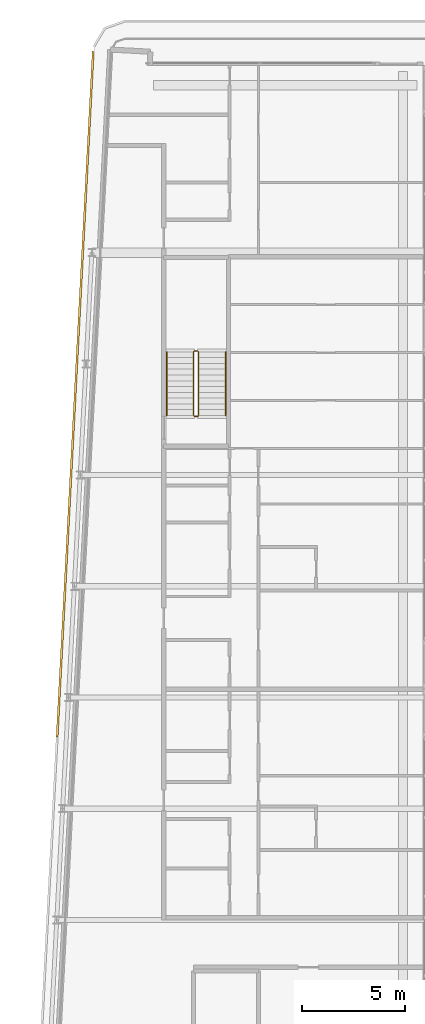
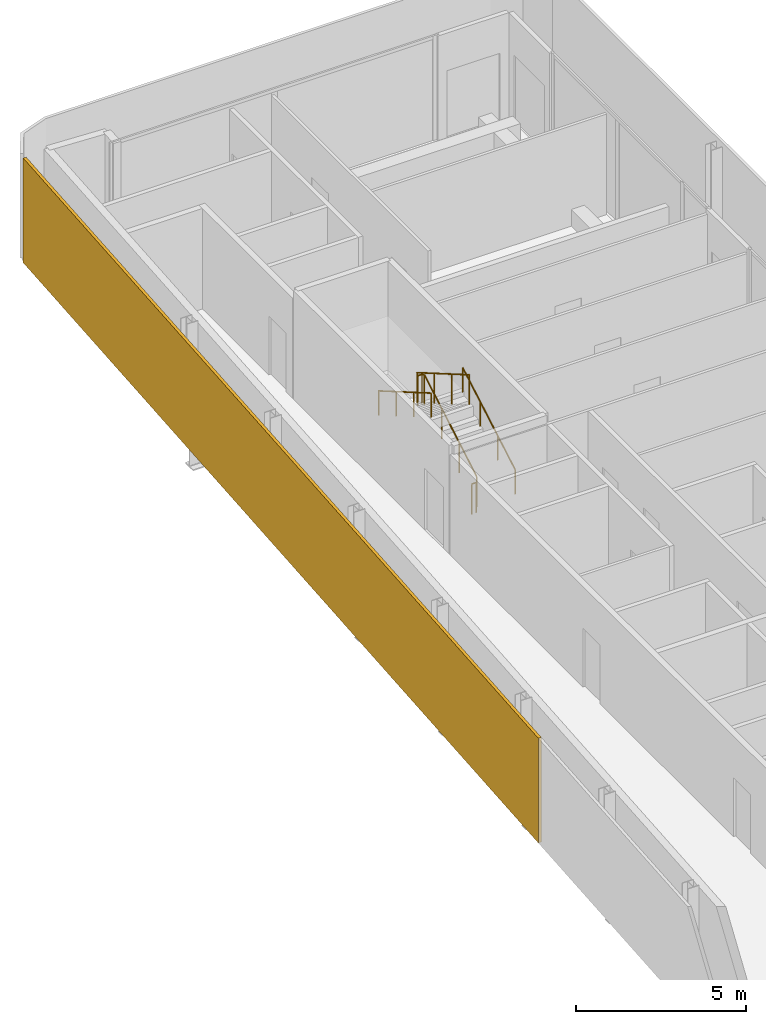
# One storey, part 16 of 18: 4 railings, 1 shading device.
"""IFC4 building model written with IfcOpenShell, lengths in metres."""

from ifc_helpers import new_model, si_unit, direction, frame, origin, origin_2d, place, context, subcontext, project, spatial, rectangle, circle, extrude, material, layer, layer_set, type_object, element, save


model = new_model("IFC4")

# Units and contexts
model_context = context("Model", 3, precision=1e-05, world=origin(), true_north=direction((0.0, 1.0)))
body_context = subcontext(model_context, "Body", "Model", "MODEL_VIEW")
ifc_project = project(units=[si_unit("LENGTHUNIT", "METRE"), si_unit("AREAUNIT", "SQUARE_METRE"), si_unit("VOLUMEUNIT", "CUBIC_METRE"), si_unit("PLANEANGLEUNIT", "RADIAN"), si_unit("MASSUNIT", "GRAM", prefix="KILO")], contexts=[model_context])

# Site, building, storey
site_placement = place(None, origin())
site = spatial("IfcSite", under=ifc_project, at=site_placement, CompositionType="ELEMENT")
building_placement = place(site_placement, origin())
building = spatial("IfcBuilding", under=site, at=building_placement, Name="Kheshtan School and Residences Tower", CompositionType="ELEMENT")
storey_placement = place(building_placement, frame((0.0, 0.0, 373.39990234375)))
storey = spatial("IfcBuildingStorey", under=building, at=storey_placement, Name="L88", CompositionType="ELEMENT", Elevation=373.39990234375)

# Shading device
ifc_material_1 = material(Name="Terracotta baguette, extruded ceramic", Category="masonry")
ifc_layer = layer(ifc_material_1, 0.10009765625)
ifc_layer_set = layer_set([ifc_layer], Name="Ledge screen, terracotta baguettes")
shading_device_type = type_object("IfcShadingDeviceType", Name="Ledge screen, terracotta baguettes", PredefinedType="USERDEFINED", material=ifc_layer_set)
shading_device_placement = place(storey_placement, frame((28.9990234375, 81.93408203125, 0.0), z_axis=(0.0, 0.0, 1.0), x_axis=(0.052562536748, 0.998617634398, 0.0)))
element("IfcShadingDevice", 1, at=shading_device_placement, inside=storey, type_object=shading_device_type, Name="Screen L88 5", ObjectType="BAGUETTE", PredefinedType="USERDEFINED", context=body_context, shape_type="SweptSolid", body=[
    extrude(rectangle(XDim=33.341064453125, YDim=0.10009765625, at=origin_2d()), origin(), (0.0, 0.0, 1.0), 3.75),
])

# Railings
ifc_material_2 = material(Name="Stainless steel balustrade", Category="steel")
railing_type_1 = type_object("IfcRailingType", Name="Stair guard 1100", PredefinedType="GUARDRAIL", material=ifc_material_2)
railing_1_placement = place(storey_placement, frame((35.0, 80.89990234375, 0.16259765625)))
element("IfcRailing", 2, at=railing_1_placement, inside=storey, type_object=railing_type_1, Name="L88 ST3 stair guard 1", PredefinedType="GUARDRAIL", context=body_context, shape_type="SweptSolid", body=[
    extrude(circle(Radius=0.02392578125, at=origin_2d()), frame((0.0, 0.0, 1.076171875), z_axis=(0.0, 0.864890721111, 0.501960198159), x_axis=(-1.0, 0.0, 0.0)), (0.0, 0.0, 1.0), 3.561279296875),
    extrude(circle(Radius=0.02392578125, at=origin_2d()), frame((0.0, 3.080078125, 2.86376953125), z_axis=(-0.707106781187, 0.707106781187, 0.0), x_axis=(-0.707106781187, -0.707106781187, 0.0)), (0.0, 0.0, 1.0), 0.07080078125),
    extrude(circle(Radius=0.02392578125, at=origin_2d()), frame((-0.050048828125, 3.130126953125, 2.86376953125), z_axis=(-1.0, 0.0, 0.0), x_axis=(0.0, -1.0, 0.0)), (0.0, 0.0, 1.0), 0.14990234375),
    extrude(circle(Radius=0.02392578125, at=origin_2d()), frame((-0.199951171875, 3.130126953125, 2.86376953125), z_axis=(-0.282583949758, -0.282583949758, 0.916674763849), x_axis=(0.707106781187, -0.707106781187, 0.0)), (0.0, 0.0, 1.0), 0.177001953125),
    extrude(circle(Radius=0.02392578125, at=origin_2d()), frame((-0.25, 3.080078125, 3.02587890625), z_axis=(0.0, -0.864890721111, 0.501960198159), x_axis=(1.0, 0.0, 0.0)), (0.0, 0.0, 1.0), 3.561279296875),
    extrude(circle(Radius=0.02099609375, at=origin_2d()), origin(), (0.0, 0.0, 1.0), 1.052001953125),
    extrude(circle(Radius=0.02099609375, at=origin_2d()), frame((0.0, 1.026611328125, 0.595947265625)), (0.0, 0.0, 1.0), 1.052001953125),
    extrude(circle(Radius=0.02099609375, at=origin_2d()), frame((0.0, 2.053466796875, 1.191650390625)), (0.0, 0.0, 1.0), 1.052001953125),
    extrude(circle(Radius=0.02099609375, at=origin_2d()), frame((0.0, 3.080078125, 1.78759765625)), (0.0, 0.0, 1.0), 1.052001953125),
    extrude(circle(Radius=0.02099609375, at=origin_2d()), frame((-0.050048828125, 3.130126953125, 1.78759765625)), (0.0, 0.0, 1.0), 1.052001953125),
    extrude(circle(Radius=0.02099609375, at=origin_2d()), frame((-0.199951171875, 3.130126953125, 1.78759765625)), (0.0, 0.0, 1.0), 1.052001953125),
    extrude(circle(Radius=0.02099609375, at=origin_2d()), frame((-0.25, 3.080078125, 1.949951171875)), (0.0, 0.0, 1.0), 1.052001953125),
    extrude(circle(Radius=0.02099609375, at=origin_2d()), frame((-0.25, 2.053466796875, 2.5458984375)), (0.0, 0.0, 1.0), 1.052001953125),
    extrude(circle(Radius=0.02099609375, at=origin_2d()), frame((-0.25, 1.026611328125, 3.1416015625)), (0.0, 0.0, 1.0), 1.052001953125),
    extrude(circle(Radius=0.02099609375, at=origin_2d()), frame((-0.25, 0.0, 3.737548828125)), (0.0, 0.0, 1.0), 1.052001953125),
])
railing_2_placement = place(storey_placement, frame((34.949951171875, 80.85009765625, 0.0)))
element("IfcRailing", 3, at=railing_2_placement, inside=storey, type_object=railing_type_1, Name="L88 ST3 stair guard 2", PredefinedType="GUARDRAIL", context=body_context, shape_type="SweptSolid", body=[
    extrude(circle(Radius=0.02392578125, at=origin_2d()), frame((0.0, 0.0, 1.076171875), z_axis=(-1.0, 0.0, 0.0), x_axis=(0.0, -1.0, 0.0)), (0.0, 0.0, 1.0), 0.14990234375),
    extrude(circle(Radius=0.02099609375, at=origin_2d()), origin(), (0.0, 0.0, 1.0), 1.052001953125),
    extrude(circle(Radius=0.02099609375, at=origin_2d()), frame((-0.14990234375, 0.0, 0.0)), (0.0, 0.0, 1.0), 1.052001953125),
])
ifc_material_3 = material(Name="Stainless steel handrail", Category="steel")
railing_type_2 = type_object("IfcRailingType", Name="Stair handrail 900", PredefinedType="HANDRAIL", material=ifc_material_3)
railing_3_placement = place(storey_placement, frame((36.300048828125, 80.89990234375, 0.16259765625)))
element("IfcRailing", 4, at=railing_3_placement, inside=storey, type_object=railing_type_2, Name="L88 ST3 stair handrail 1", PredefinedType="HANDRAIL", context=body_context, shape_type="SweptSolid", body=[
    extrude(circle(Radius=0.02392578125, at=origin_2d()), frame((0.0, 0.0, 0.8759765625), z_axis=(0.0, 0.864890721111, 0.501960198159), x_axis=(-1.0, 0.0, 0.0)), (0.0, 0.0, 1.0), 3.561279296875),
    extrude(circle(Radius=0.02099609375, at=origin_2d()), origin(), (0.0, 0.0, 1.0), 0.851806640625),
    extrude(circle(Radius=0.02099609375, at=origin_2d()), frame((0.0, 1.026611328125, 0.595947265625)), (0.0, 0.0, 1.0), 0.851806640625),
    extrude(circle(Radius=0.02099609375, at=origin_2d()), frame((0.0, 2.053466796875, 1.191650390625)), (0.0, 0.0, 1.0), 0.851806640625),
    extrude(circle(Radius=0.02099609375, at=origin_2d()), frame((0.0, 3.080078125, 1.78759765625)), (0.0, 0.0, 1.0), 0.851806640625),
])
railing_4_placement = place(storey_placement, frame((33.449951171875, 83.97998046875, 2.112548828125)))
element("IfcRailing", 5, at=railing_4_placement, inside=storey, type_object=railing_type_2, Name="L88 ST3 stair handrail 2", PredefinedType="HANDRAIL", context=body_context, shape_type="SweptSolid", body=[
    extrude(circle(Radius=0.02392578125, at=origin_2d()), frame((0.0, 0.0, 0.8759765625), z_axis=(0.0, -0.864890721111, 0.501960198159), x_axis=(1.0, 0.0, 0.0)), (0.0, 0.0, 1.0), 3.561279296875),
    extrude(circle(Radius=0.02099609375, at=origin_2d()), origin(), (0.0, 0.0, 1.0), 0.851806640625),
    extrude(circle(Radius=0.02099609375, at=origin_2d()), frame((0.0, -1.026611328125, 0.595947265625)), (0.0, 0.0, 1.0), 0.851806640625),
    extrude(circle(Radius=0.02099609375, at=origin_2d()), frame((0.0, -2.053466796875, 1.191650390625)), (0.0, 0.0, 1.0), 0.851806640625),
    extrude(circle(Radius=0.02099609375, at=origin_2d()), frame((0.0, -3.080078125, 1.78759765625)), (0.0, 0.0, 1.0), 0.851806640625),
])

save(model, "model.ifc")
